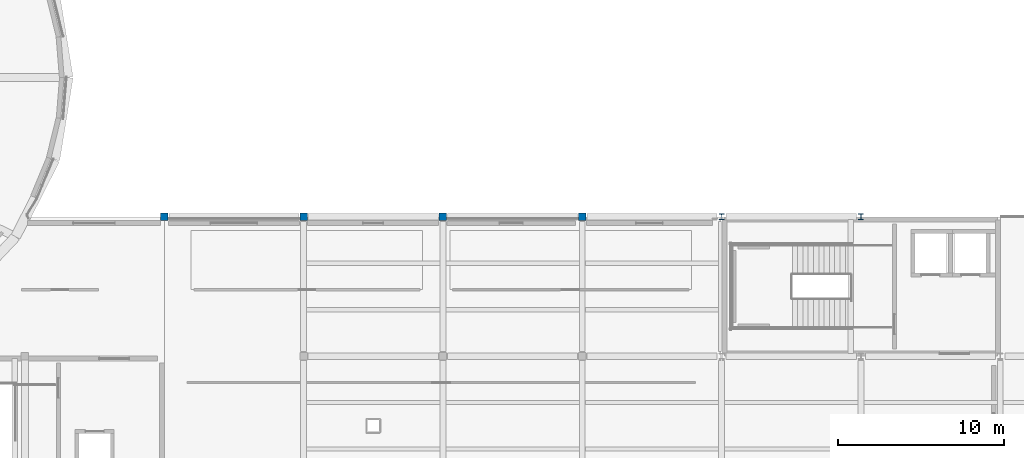
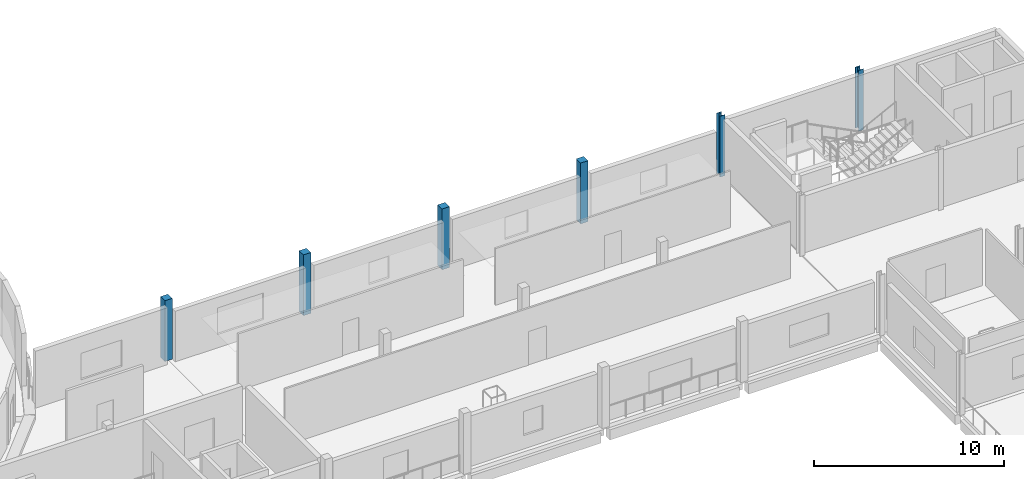
# One storey, part 3 of 16: 6 columns.
"""IFC4 building model written with IfcOpenShell, lengths in metres."""

from ifc_helpers import new_model, si_unit, derived_unit, direction, frame, origin, origin_2d, place, context, subcontext, project, spatial, rectangle, i_section, extrude, material, material_profile, profile_set, type_object, element, save


model = new_model("IFC4")

# Units and contexts
model_context = context("Model", 3, precision=1e-05, world=origin(), true_north=direction((0.0, 1.0)))
body_context = subcontext(model_context, "Body", "Model", "MODEL_VIEW")
ifc_project = project(units=[si_unit("LENGTHUNIT", "METRE"), si_unit("AREAUNIT", "SQUARE_METRE"), si_unit("VOLUMEUNIT", "CUBIC_METRE"), si_unit("PLANEANGLEUNIT", "RADIAN"), si_unit("MASSUNIT", "GRAM", prefix="KILO"), derived_unit("THERMALTRANSMITTANCEUNIT", [(si_unit("POWERUNIT", "WATT"), 1), (si_unit("LENGTHUNIT", "METRE"), -2), (si_unit("THERMODYNAMICTEMPERATUREUNIT", "KELVIN"), -1)])], contexts=[model_context])

# Site, building, storey
site_placement = place(None, origin())
site = spatial("IfcSite", under=ifc_project, at=site_placement, CompositionType="ELEMENT")
building_placement = place(site_placement, origin())
building = spatial("IfcBuilding", under=site, at=building_placement, Name="Elbkamm Science Centre", CompositionType="ELEMENT")
storey_placement = place(building_placement, frame((0.0, 0.0, 21.60009765625)))
storey = spatial("IfcBuildingStorey", under=building, at=storey_placement, Name="L05", CompositionType="ELEMENT", Elevation=21.60009765625)

# Columns
ifc_material_1 = material(Name="Concrete C40/50", Category="concrete")
ifc_material_profile_1 = material_profile(ifc_material_1, rectangle(XDim=0.449951171875, YDim=0.449951171875, at=origin_2d()), Name="RC 450x450")
ifc_profile_set_1 = profile_set([ifc_material_profile_1], Name="Concrete C40/50")
column_type_1 = type_object("IfcColumnType", Name="COL-RC-450", PredefinedType="COLUMN", material=ifc_profile_set_1)
for number, where, z_axis, x_axis, name in (
    (1, (92.39990234375, 58.800048828125, 0.0), (0.0, 0.0, 1.0), (1.0, 0.0, 0.0), "L05 Column GRID-12-H"),
    (2, (100.800048828125, 58.800048828125, 0.0), (0.0, 0.0, 1.0), (1.0, 0.0, 0.0), "L05 Column GRID-13-H"),
    (3, (109.199951171875, 58.800048828125, 0.0), (0.0, 0.0, 1.0), (1.0, 0.0, 0.0), "L05 Column GRID-14-H"),
    (4, (117.60009765625, 58.800048828125, 0.0), (0.0, 0.0, 1.0), (1.0, 0.0, 0.0), "L05 Column GRID-15-H"),
):
    element("IfcColumn", number, at=place(storey_placement, frame(where, z_axis=z_axis, x_axis=x_axis)), inside=storey, type_object=column_type_1, Name=name, PredefinedType="COLUMN", context=body_context, shape_type="SweptSolid", body=[
        extrude(rectangle(XDim=0.449951171875, YDim=0.449951171875, at=origin_2d()), origin(), (0.0, 0.0, 1.0), 3.89990234375),
    ])
ifc_material_2 = material(Name="Steel EN 10025-2 S355J2", Category="steel")
ifc_material_profile_2 = material_profile(ifc_material_2, i_section(OverallWidth=0.300048828125, OverallDepth=0.360107421875, WebThickness=0.012451171875, FlangeThickness=0.0224609375, FilletRadius=0.027099609375, at=origin_2d()), Name="HEB 360")
ifc_profile_set_2 = profile_set([ifc_material_profile_2], Name="Steel EN 10025-2 S355J2")
column_type_2 = type_object("IfcColumnType", Name="COL-STL-HEB360", PredefinedType="COLUMN", material=ifc_profile_set_2)
for number, where, z_axis, x_axis, name in (
    (5, (126.0, 58.800048828125, 0.0), (0.0, 0.0, 1.0), (1.0, 0.0, 0.0), "L05 Column GRID-16-H"),
    (6, (134.39990234375, 58.800048828125, 0.0), (0.0, 0.0, 1.0), (1.0, 0.0, 0.0), "L05 Column GRID-17-H"),
):
    element("IfcColumn", number, at=place(storey_placement, frame(where, z_axis=z_axis, x_axis=x_axis)), inside=storey, type_object=column_type_2, Name=name, PredefinedType="COLUMN", context=body_context, shape_type="SweptSolid", body=[
        extrude(i_section(OverallWidth=0.300048828125, OverallDepth=0.360107421875, WebThickness=0.012451171875, FlangeThickness=0.0224609375, FilletRadius=0.027099609375, at=origin_2d()), origin(), (0.0, 0.0, 1.0), 3.89990234375),
    ])

save(model, "model.ifc")
